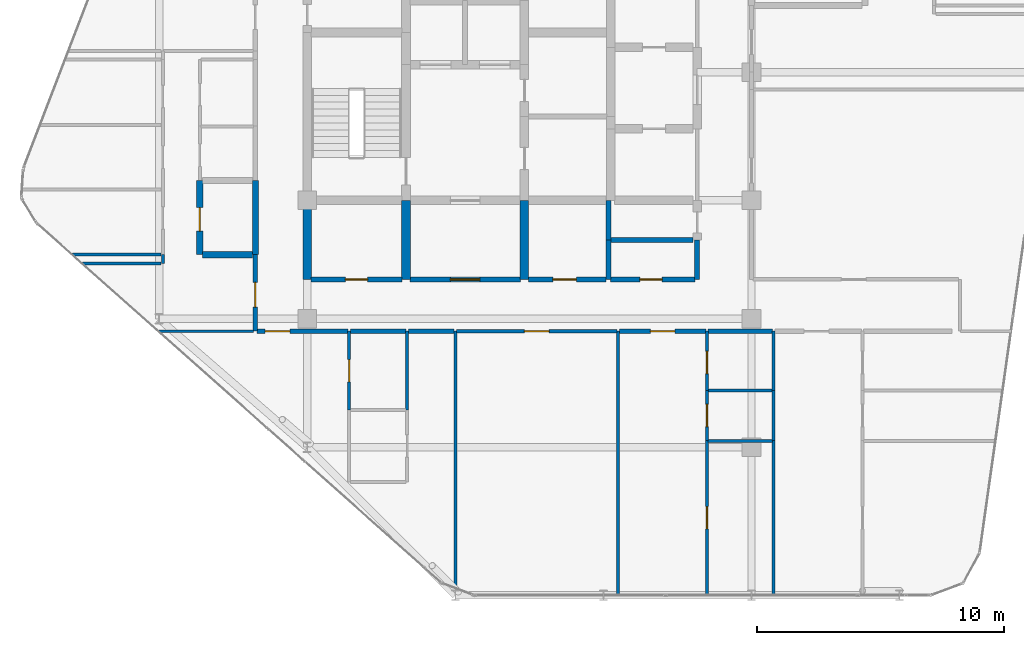
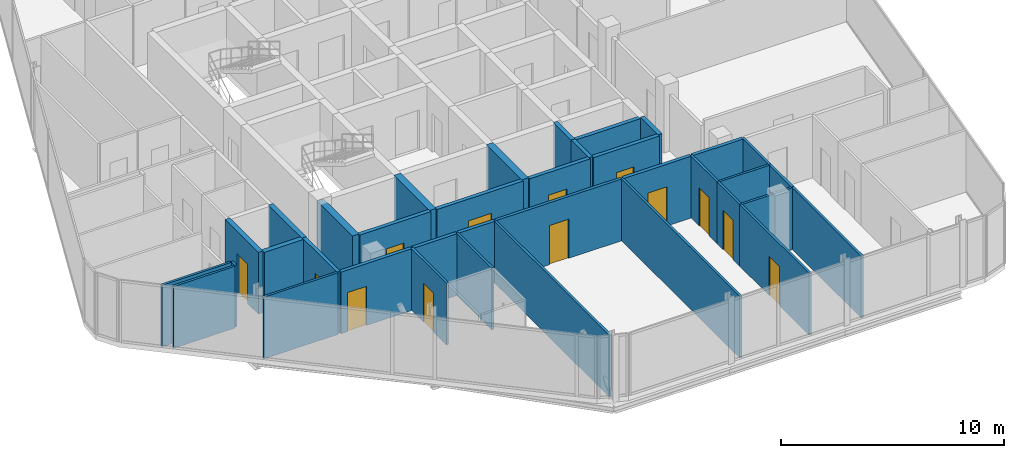
# One storey, part 25 of 31: 37 walls, 13 doors, 13 openings.
"""IFC4 building model written with IfcOpenShell, lengths in metres."""

from ifc_helpers import new_model, si_unit, direction, frame, frame_2d, origin, place, context, subcontext, project, spatial, rectangle, extrude, material, layer, layer_set, type_object, element, fill, save


model = new_model("IFC4")

# Units and contexts
model_context = context("Model", 3, precision=1e-05, world=origin(), true_north=direction((0.0, 1.0)))
body_context = subcontext(model_context, "Body", "Model", "MODEL_VIEW")
ifc_project = project(units=[si_unit("LENGTHUNIT", "METRE"), si_unit("AREAUNIT", "SQUARE_METRE"), si_unit("VOLUMEUNIT", "CUBIC_METRE"), si_unit("PLANEANGLEUNIT", "RADIAN"), si_unit("MASSUNIT", "GRAM", prefix="KILO")], contexts=[model_context])

# Site, building, storey
site_placement = place(None, origin())
site = spatial("IfcSite", under=ifc_project, at=site_placement, CompositionType="ELEMENT")
building_placement = place(site_placement, origin())
building = spatial("IfcBuilding", under=site, at=building_placement, Name="Keshet Zoharim Tower", CompositionType="ELEMENT")
storey_placement = place(building_placement, frame((0.0, 0.0, 276.89990234375)))
storey = spatial("IfcBuildingStorey", under=building, at=storey_placement, Name="L69", CompositionType="ELEMENT", Elevation=276.89990234375)

# Wall, opening, door
ifc_material_1 = material(Name="Gypsum Plasterboard", Category="gypsum")
ifc_layer_1 = layer(ifc_material_1, 0.14990234375)
ifc_layer_set_1 = layer_set([ifc_layer_1], Name="Gypsum Plasterboard")
wall_type_1 = type_object("IfcWallType", Name="WL-CLIN-150", PredefinedType="STANDARD", material=ifc_layer_set_1)
wall_1_placement = place(storey_placement, frame((21.044921875, 17.39990234375, 0.0), z_axis=(0.0, 0.0, 1.0), x_axis=(1.0, 0.0, 0.0)))
wall_1 = element("IfcWall", 1, at=wall_1_placement, inside=storey, type_object=wall_type_1, Name="L69 Interior Wall 106", PredefinedType="STANDARD", context=body_context, shape_type="SweptSolid", body=[
    extrude(rectangle(XDim=6.510009765625, YDim=0.14990234375, at=frame_2d((3.2548828125, 0.0))), origin(), (0.0, 0.0, 1.0), 3.39013671875),
])
opening_1_placement = place(wall_1_placement, frame((2.7548828125, 0.0, 0.0)))
opening_1 = element("IfcOpeningElement", 2, at=opening_1_placement, cuts=wall_1, Name="Opening D-F310", PredefinedType="OPENING", context=body_context, shape_type="SweptSolid", body=[
    extrude(rectangle(XDim=1.0, YDim=2.14990234375, at=frame_2d((0.5, 1.074951171875))), frame((0.0, 0.0849609375, 0.0), z_axis=(0.0, -1.0, 0.0), x_axis=(1.0, 0.0, 0.0)), (0.0, 0.0, 1.0), 0.169921875),
])
ifc_material_2 = material(Name="Hardwood Timber", Category="wood")
door_type_1 = type_object("IfcDoorType", Name="DR-FD30-100", OperationType="NOTDEFINED", PredefinedType="DOOR", material=ifc_material_2)
door_1_placement = place(opening_1_placement, origin())
door_1 = element("IfcDoor", 3, at=door_1_placement, inside=storey, type_object=door_type_1, Name="L69 Floor Children Playroom Door", OperationType="SINGLE_SWING_LEFT", OverallHeight=2.14990234375, OverallWidth=1.0, PredefinedType="DOOR", context=body_context, shape_type="SweptSolid", body=[
    extrude(rectangle(XDim=1.0, YDim=2.14990234375, at=frame_2d((0.5, 1.074951171875))), frame((0.0, 0.02490234375, 0.0), z_axis=(0.0, -1.0, 0.0), x_axis=(1.0, 0.0, 0.0)), (0.0, 0.0, 1.0), 0.050048828125),
])
fill(opening_1, door_1)

# Walls
ifc_material_3 = material(Name="Concrete C60/75", Category="concrete")
ifc_layer_2 = layer(ifc_material_3, 0.35009765625)
ifc_layer_set_2 = layer_set([ifc_layer_2], Name="Concrete C60/75")
wall_type_2 = type_object("IfcWallType", Name="WL-CORE-350", PredefinedType="SHEAR", material=ifc_layer_set_2)
for number, where, z_axis, x_axis, name in (
    (4, (15.0, 19.5, 0.0), (0.0, 0.0, 1.0), (0.0, 1.0, 0.0), "L69 Core Shear Wall 016"),
    (5, (19.0, 19.5, 0.0), (0.0, 0.0, 1.0), (0.0, 1.0, 0.0), "L69 Core Shear Wall 026"),
    (6, (23.800048828125, 19.5, 0.0), (0.0, 0.0, 1.0), (0.0, 1.0, 0.0), "L69 Core Shear Wall 040"),
):
    element("IfcWall", number, at=place(storey_placement, frame(where, z_axis=z_axis, x_axis=x_axis)), inside=storey, type_object=wall_type_2, Name=name, PredefinedType="SHEAR", context=body_context, shape_type="SweptSolid", body=[
        extrude(rectangle(XDim=3.199951171875, YDim=0.35009765625, at=frame_2d((1.60009765625, 0.0))), origin(), (0.0, 0.0, 1.0), 3.39013671875),
    ])

# Wall, opening, door
ifc_layer_3 = layer(ifc_material_1, 0.179931640625)
ifc_layer_set_3 = layer_set([ifc_layer_3], Name="Gypsum Plasterboard")
wall_type_3 = type_object("IfcWallType", Name="WL-CORR-180", PredefinedType="STANDARD", material=ifc_layer_set_3)
wall_2_placement = place(storey_placement, frame((12.89990234375, 17.39990234375, 0.0), z_axis=(0.0, 0.0, 1.0), x_axis=(0.0, 1.0, 0.0)))
wall_2 = element("IfcWall", 7, at=wall_2_placement, inside=storey, type_object=wall_type_3, Name="L69 Interior Wall 009", PredefinedType="STANDARD", context=body_context, shape_type="SweptSolid", body=[
    extrude(rectangle(XDim=3.10009765625, YDim=0.179931640625, at=frame_2d((1.550048828125, 0.0))), origin(), (0.0, 0.0, 1.0), 3.39013671875),
])
opening_2_placement = place(wall_2_placement, frame((0.97802734375, 0.0, 0.0)))
opening_2 = element("IfcOpeningElement", 8, at=opening_2_placement, cuts=wall_2, Name="Opening D-F310", PredefinedType="OPENING", context=body_context, shape_type="SweptSolid", body=[
    extrude(rectangle(XDim=1.0, YDim=2.14990234375, at=frame_2d((0.5, 1.074951171875))), frame((0.0, 0.10009765625, 0.0), z_axis=(0.0, -1.0, 0.0), x_axis=(1.0, 0.0, 0.0)), (0.0, 0.0, 1.0), 0.199951171875),
])
door_2_placement = place(opening_2_placement, origin())
door_2 = element("IfcDoor", 9, at=door_2_placement, inside=storey, type_object=door_type_1, Name="Apartment 6906 Entrance Door", OperationType="SINGLE_SWING_RIGHT", OverallHeight=2.14990234375, OverallWidth=1.0, PredefinedType="DOOR", context=body_context, shape_type="SweptSolid", body=[
    extrude(rectangle(XDim=1.0, YDim=2.14990234375, at=frame_2d((0.5, 1.074951171875))), frame((0.0, 0.02490234375, 0.0), z_axis=(0.0, -1.0, 0.0), x_axis=(1.0, 0.0, 0.0)), (0.0, 0.0, 1.0), 0.050048828125),
])
fill(opening_2, door_2)

wall_3_placement = place(storey_placement, frame((12.97509765625, 17.39990234375, 0.0), z_axis=(0.0, 0.0, 1.0), x_axis=(1.0, 0.0, 0.0)))
wall_3 = element("IfcWall", 10, at=wall_3_placement, inside=storey, type_object=wall_type_3, Name="L69 Interior Wall 103", PredefinedType="STANDARD", context=body_context, shape_type="SweptSolid", body=[
    extrude(rectangle(XDim=3.679931640625, YDim=0.179931640625, at=frame_2d((1.83984375, 0.0))), origin(), (0.0, 0.0, 1.0), 3.39013671875),
])
opening_3_placement = place(wall_3_placement, frame((0.322021484375, 0.0, 0.0)))
opening_3 = element("IfcOpeningElement", 11, at=opening_3_placement, cuts=wall_3, Name="Opening D-F310", PredefinedType="OPENING", context=body_context, shape_type="SweptSolid", body=[
    extrude(rectangle(XDim=1.0, YDim=2.14990234375, at=frame_2d((0.5, 1.074951171875))), frame((0.0, 0.10009765625, 0.0), z_axis=(0.0, -1.0, 0.0), x_axis=(1.0, 0.0, 0.0)), (0.0, 0.0, 1.0), 0.199951171875),
])
door_3_placement = place(opening_3_placement, origin())
door_3 = element("IfcDoor", 12, at=door_3_placement, inside=storey, type_object=door_type_1, Name="Apartment 6901 Entrance Door", OperationType="SINGLE_SWING_RIGHT", OverallHeight=2.14990234375, OverallWidth=1.0, PredefinedType="DOOR", context=body_context, shape_type="SweptSolid", body=[
    extrude(rectangle(XDim=1.0, YDim=2.14990234375, at=frame_2d((0.5, 1.074951171875))), frame((0.0, 0.02490234375, 0.0), z_axis=(0.0, -1.0, 0.0), x_axis=(1.0, 0.0, 0.0)), (0.0, 0.0, 1.0), 0.050048828125),
])
fill(opening_3, door_3)

# Walls
wall_4_placement = place(storey_placement, frame((16.7451171875, 17.39990234375, 0.0), z_axis=(0.0, 0.0, 1.0), x_axis=(1.0, 0.0, 0.0)))
element("IfcWall", 13, at=wall_4_placement, inside=storey, type_object=wall_type_3, Name="L69 Interior Wall 104", PredefinedType="STANDARD", context=body_context, shape_type="SweptSolid", body=[
    extrude(rectangle(XDim=2.259765625, YDim=0.179931640625, at=frame_2d((1.1298828125, 0.0))), origin(), (0.0, 0.0, 1.0), 3.39013671875),
])
wall_5_placement = place(storey_placement, frame((19.094970703125, 17.39990234375, 0.0), z_axis=(0.0, 0.0, 1.0), x_axis=(1.0, 0.0, 0.0)))
element("IfcWall", 14, at=wall_5_placement, inside=storey, type_object=wall_type_3, Name="L69 Interior Wall 105", PredefinedType="STANDARD", context=body_context, shape_type="SweptSolid", body=[
    extrude(rectangle(XDim=1.860107421875, YDim=0.179931640625, at=frame_2d((0.93017578125, 0.0))), origin(), (0.0, 0.0, 1.0), 3.39013671875),
])

# Wall, opening, door
wall_6_placement = place(storey_placement, frame((27.64501953125, 17.39990234375, 0.0), z_axis=(0.0, 0.0, 1.0), x_axis=(1.0, 0.0, 0.0)))
wall_6 = element("IfcWall", 15, at=wall_6_placement, inside=storey, type_object=wall_type_3, Name="L69 Interior Wall 107", PredefinedType="STANDARD", context=body_context, shape_type="SweptSolid", body=[
    extrude(rectangle(XDim=3.510009765625, YDim=0.179931640625, at=frame_2d((1.7548828125, 0.0))), origin(), (0.0, 0.0, 1.0), 3.39013671875),
])
opening_4_placement = place(wall_6_placement, frame((1.2548828125, 0.0, 0.0)))
opening_4 = element("IfcOpeningElement", 16, at=opening_4_placement, cuts=wall_6, Name="Opening D-F310", PredefinedType="OPENING", context=body_context, shape_type="SweptSolid", body=[
    extrude(rectangle(XDim=1.0, YDim=2.14990234375, at=frame_2d((0.5, 1.074951171875))), frame((0.0, 0.10009765625, 0.0), z_axis=(0.0, -1.0, 0.0), x_axis=(1.0, 0.0, 0.0)), (0.0, 0.0, 1.0), 0.199951171875),
])
door_4_placement = place(opening_4_placement, origin())
door_4 = element("IfcDoor", 17, at=door_4_placement, inside=storey, type_object=door_type_1, Name="Apartment 6902 Entrance Door", OperationType="SINGLE_SWING_RIGHT", OverallHeight=2.14990234375, OverallWidth=1.0, PredefinedType="DOOR", context=body_context, shape_type="SweptSolid", body=[
    extrude(rectangle(XDim=1.0, YDim=2.14990234375, at=frame_2d((0.5, 1.074951171875))), frame((0.0, 0.02490234375, 0.0), z_axis=(0.0, -1.0, 0.0), x_axis=(1.0, 0.0, 0.0)), (0.0, 0.0, 1.0), 0.050048828125),
])
fill(opening_4, door_4)

# Walls
wall_7_placement = place(storey_placement, frame((31.2451171875, 17.39990234375, 0.0), z_axis=(0.0, 0.0, 1.0), x_axis=(1.0, 0.0, 0.0)))
element("IfcWall", 18, at=wall_7_placement, inside=storey, type_object=wall_type_3, Name="L69 Interior Wall 108", PredefinedType="STANDARD", context=body_context, shape_type="SweptSolid", body=[
    extrude(rectangle(XDim=2.60986328125, YDim=0.179931640625, at=frame_2d((1.304931640625, 0.0))), origin(), (0.0, 0.0, 1.0), 3.39013671875),
])
ifc_material_4 = material(Name="Concrete C50/60", Category="concrete")
ifc_layer_4 = layer(ifc_material_4, 0.199951171875)
ifc_layer_set_4 = layer_set([ifc_layer_4], Name="Concrete C50/60")
wall_type_4 = type_object("IfcWallType", Name="WL-FIRE-200", PredefinedType="STANDARD", material=ifc_layer_set_4)
wall_8_placement = place(storey_placement, frame((27.199951171875, 19.5, 0.0), z_axis=(0.0, 0.0, 1.0), x_axis=(0.0, 1.0, 0.0)))
element("IfcWall", 19, at=wall_8_placement, inside=storey, type_object=wall_type_4, Name="L69 Interior Wall 052", PredefinedType="STANDARD", context=body_context, shape_type="SweptSolid", body=[
    extrude(rectangle(XDim=1.60009765625, YDim=0.199951171875, at=frame_2d((0.800048828125, 0.0))), origin(), (0.0, 0.0, 1.0), 3.39013671875),
])
wall_9_placement = place(storey_placement, frame((27.199951171875, 21.10009765625, 0.0), z_axis=(0.0, 0.0, 1.0), x_axis=(0.0, 1.0, 0.0)))
element("IfcWall", 20, at=wall_9_placement, inside=storey, type_object=wall_type_4, Name="L69 Interior Wall 053", PredefinedType="STANDARD", context=body_context, shape_type="SweptSolid", body=[
    extrude(rectangle(XDim=1.599853515625, YDim=0.199951171875, at=frame_2d((0.7998046875, 0.0))), origin(), (0.0, 0.0, 1.0), 3.39013671875),
])
wall_10_placement = place(storey_placement, frame((30.800048828125, 19.5, 0.0), z_axis=(0.0, 0.0, 1.0), x_axis=(0.0, 1.0, 0.0)))
element("IfcWall", 21, at=wall_10_placement, inside=storey, type_object=wall_type_4, Name="L69 Interior Wall 061", PredefinedType="STANDARD", context=body_context, shape_type="SweptSolid", body=[
    extrude(rectangle(XDim=1.60009765625, YDim=0.199951171875, at=frame_2d((0.800048828125, 0.0))), origin(), (0.0, 0.0, 1.0), 3.39013671875),
])

# Wall, opening, door
wall_11_placement = place(storey_placement, frame((15.159912109375, 19.5, 0.0), z_axis=(0.0, 0.0, 1.0), x_axis=(1.0, 0.0, 0.0)))
wall_11 = element("IfcWall", 22, at=wall_11_placement, inside=storey, type_object=wall_type_4, Name="L69 Interior Wall 112", PredefinedType="STANDARD", context=body_context, shape_type="SweptSolid", body=[
    extrude(rectangle(XDim=3.68017578125, YDim=0.199951171875, at=frame_2d((1.840087890625, 0.0))), origin(), (0.0, 0.0, 1.0), 3.39013671875),
])
opening_5_placement = place(wall_11_placement, frame((1.389892578125, 0.0, 0.0)))
opening_5 = element("IfcOpeningElement", 23, at=opening_5_placement, cuts=wall_11, Name="Opening D-F690", PredefinedType="OPENING", context=body_context, shape_type="SweptSolid", body=[
    extrude(rectangle(XDim=0.89990234375, YDim=2.14990234375, at=frame_2d((0.449951171875, 1.074951171875))), frame((0.0, 0.10986328125, 0.0), z_axis=(0.0, -1.0, 0.0), x_axis=(1.0, 0.0, 0.0)), (0.0, 0.0, 1.0), 0.219970703125),
])
door_type_2 = type_object("IfcDoorType", Name="DR-FD60-090", OperationType="NOTDEFINED", PredefinedType="DOOR", material=ifc_material_2)
door_5_placement = place(opening_5_placement, origin())
door_5 = element("IfcDoor", 24, at=door_5_placement, inside=storey, type_object=door_type_2, Name="L69 Refuse Store Door", OperationType="SINGLE_SWING_RIGHT", OverallHeight=2.14990234375, OverallWidth=0.89990234375, PredefinedType="DOOR", context=body_context, shape_type="SweptSolid", body=[
    extrude(rectangle(XDim=0.89990234375, YDim=2.14990234375, at=frame_2d((0.449951171875, 1.074951171875))), frame((0.0, 0.02490234375, 0.0), z_axis=(0.0, -1.0, 0.0), x_axis=(1.0, 0.0, 0.0)), (0.0, 0.0, 1.0), 0.050048828125),
])
fill(opening_5, door_5)

wall_12_placement = place(storey_placement, frame((19.159912109375, 19.5, 0.0), z_axis=(0.0, 0.0, 1.0), x_axis=(1.0, 0.0, 0.0)))
wall_12 = element("IfcWall", 25, at=wall_12_placement, inside=storey, type_object=wall_type_4, Name="L69 Interior Wall 113", PredefinedType="STANDARD", context=body_context, shape_type="SweptSolid", body=[
    extrude(rectangle(XDim=4.47998046875, YDim=0.199951171875, at=frame_2d((2.239990234375, 0.0))), origin(), (0.0, 0.0, 1.0), 3.39013671875),
])
opening_6_placement = place(wall_12_placement, frame((1.639892578125, 0.0, 0.0)))
opening_6 = element("IfcOpeningElement", 26, at=opening_6_placement, cuts=wall_12, Name="Opening D-F612", PredefinedType="OPENING", context=body_context, shape_type="SweptSolid", body=[
    extrude(rectangle(XDim=1.199951171875, YDim=2.199951171875, at=frame_2d((0.60009765625, 1.10009765625))), frame((0.0, 0.10986328125, 0.0), z_axis=(0.0, -1.0, 0.0), x_axis=(1.0, 0.0, 0.0)), (0.0, 0.0, 1.0), 0.219970703125),
])
door_type_3 = type_object("IfcDoorType", Name="DR-FD60-120", OperationType="NOTDEFINED", PredefinedType="DOOR", material=ifc_material_2)
door_6_placement = place(opening_6_placement, origin())
door_6 = element("IfcDoor", 27, at=door_6_placement, inside=storey, type_object=door_type_3, Name="L69 South Vestibule Corridor Door", OperationType="SINGLE_SWING_LEFT", OverallHeight=2.199951171875, OverallWidth=1.199951171875, PredefinedType="DOOR", context=body_context, shape_type="SweptSolid", body=[
    extrude(rectangle(XDim=1.199951171875, YDim=2.199951171875, at=frame_2d((0.60009765625, 1.10009765625))), frame((0.0, 0.02490234375, 0.0), z_axis=(0.0, -1.0, 0.0), x_axis=(1.0, 0.0, 0.0)), (0.0, 0.0, 1.0), 0.050048828125),
])
fill(opening_6, door_6)

wall_13_placement = place(storey_placement, frame((23.9599609375, 19.5, 0.0), z_axis=(0.0, 0.0, 1.0), x_axis=(1.0, 0.0, 0.0)))
wall_13 = element("IfcWall", 28, at=wall_13_placement, inside=storey, type_object=wall_type_4, Name="L69 Interior Wall 114", PredefinedType="STANDARD", context=body_context, shape_type="SweptSolid", body=[
    extrude(rectangle(XDim=3.155029296875, YDim=0.199951171875, at=frame_2d((1.57763671875, 0.0))), origin(), (0.0, 0.0, 1.0), 3.39013671875),
])
opening_7_placement = place(wall_13_placement, frame((0.990966796875, 0.0, 0.0)))
opening_7 = element("IfcOpeningElement", 29, at=opening_7_placement, cuts=wall_13, Name="Opening D-F695", PredefinedType="OPENING", context=body_context, shape_type="SweptSolid", body=[
    extrude(rectangle(XDim=0.949951171875, YDim=2.14990234375, at=frame_2d((0.47509765625, 1.074951171875))), frame((0.0, 0.10986328125, 0.0), z_axis=(0.0, -1.0, 0.0), x_axis=(1.0, 0.0, 0.0)), (0.0, 0.0, 1.0), 0.219970703125),
])
door_type_4 = type_object("IfcDoorType", Name="DR-FD60-095", OperationType="NOTDEFINED", PredefinedType="DOOR", material=ifc_material_2)
door_7_placement = place(opening_7_placement, origin())
door_7 = element("IfcDoor", 30, at=door_7_placement, inside=storey, type_object=door_type_4, Name="L69 Utility Room Door", OperationType="SINGLE_SWING_RIGHT", OverallHeight=2.14990234375, OverallWidth=0.949951171875, PredefinedType="DOOR", context=body_context, shape_type="SweptSolid", body=[
    extrude(rectangle(XDim=0.949951171875, YDim=2.14990234375, at=frame_2d((0.47509765625, 1.074951171875))), frame((0.0, 0.02490234375, 0.0), z_axis=(0.0, -1.0, 0.0), x_axis=(1.0, 0.0, 0.0)), (0.0, 0.0, 1.0), 0.050048828125),
])
fill(opening_7, door_7)

wall_14_placement = place(storey_placement, frame((27.284912109375, 19.5, 0.0), z_axis=(0.0, 0.0, 1.0), x_axis=(1.0, 0.0, 0.0)))
wall_14 = element("IfcWall", 31, at=wall_14_placement, inside=storey, type_object=wall_type_4, Name="L69 Interior Wall 115", PredefinedType="STANDARD", context=body_context, shape_type="SweptSolid", body=[
    extrude(rectangle(XDim=3.43017578125, YDim=0.199951171875, at=frame_2d((1.715087890625, 0.0))), origin(), (0.0, 0.0, 1.0), 3.39013671875),
])
opening_8_placement = place(wall_14_placement, frame((1.19189453125, 0.0, 0.0)))
opening_8 = element("IfcOpeningElement", 32, at=opening_8_placement, cuts=wall_14, Name="Opening D-F690", PredefinedType="OPENING", context=body_context, shape_type="SweptSolid", body=[
    extrude(rectangle(XDim=0.89990234375, YDim=2.14990234375, at=frame_2d((0.449951171875, 1.074951171875))), frame((0.0, 0.10986328125, 0.0), z_axis=(0.0, -1.0, 0.0), x_axis=(1.0, 0.0, 0.0)), (0.0, 0.0, 1.0), 0.219970703125),
])
door_8_placement = place(opening_8_placement, origin())
door_8 = element("IfcDoor", 33, at=door_8_placement, inside=storey, type_object=door_type_2, Name="L69 Valve Room Door", OperationType="SINGLE_SWING_LEFT", OverallHeight=2.14990234375, OverallWidth=0.89990234375, PredefinedType="DOOR", context=body_context, shape_type="SweptSolid", body=[
    extrude(rectangle(XDim=0.89990234375, YDim=2.14990234375, at=frame_2d((0.449951171875, 1.074951171875))), frame((0.0, 0.02490234375, 0.0), z_axis=(0.0, -1.0, 0.0), x_axis=(1.0, 0.0, 0.0)), (0.0, 0.0, 1.0), 0.050048828125),
])
fill(opening_8, door_8)

# Wall
wall_15_placement = place(storey_placement, frame((27.284912109375, 21.10009765625, 0.0), z_axis=(0.0, 0.0, 1.0), x_axis=(1.0, 0.0, 0.0)))
element("IfcWall", 34, at=wall_15_placement, inside=storey, type_object=wall_type_4, Name="L69 Interior Wall 120", PredefinedType="STANDARD", context=body_context, shape_type="SweptSolid", body=[
    extrude(rectangle(XDim=3.35498046875, YDim=0.199951171875, at=frame_2d((1.677490234375, 0.0))), origin(), (0.0, 0.0, 1.0), 3.39013671875),
])

# Wall, opening, door
ifc_layer_5 = layer(ifc_material_4, 0.25)
ifc_layer_set_5 = layer_set([ifc_layer_5], Name="Concrete C50/60")
wall_type_5 = type_object("IfcWallType", Name="WL-MAMAD-250", PredefinedType="STANDARD", material=ifc_layer_set_5)
wall_16_placement = place(storey_placement, frame((10.64990234375, 20.5, 0.0), z_axis=(0.0, 0.0, 1.0), x_axis=(0.0, 1.0, 0.0)))
wall_16 = element("IfcWall", 35, at=wall_16_placement, inside=storey, type_object=wall_type_5, Name="L69 Interior Wall 006", PredefinedType="STANDARD", context=body_context, shape_type="SweptSolid", body=[
    extrude(rectangle(XDim=3.001953125, YDim=0.25, at=frame_2d((1.5009765625, 0.0))), origin(), (0.0, 0.0, 1.0), 3.39013671875),
])
opening_9_placement = place(wall_16_placement, frame((0.9560546875, 0.0, 0.0)))
opening_9 = element("IfcOpeningElement", 36, at=opening_9_placement, cuts=wall_16, Name="Opening D-F695", PredefinedType="OPENING", context=body_context, shape_type="SweptSolid", body=[
    extrude(rectangle(XDim=0.949951171875, YDim=2.14990234375, at=frame_2d((0.47509765625, 1.074951171875))), frame((0.0, 0.135009765625, 0.0), z_axis=(0.0, -1.0, 0.0), x_axis=(1.0, 0.0, 0.0)), (0.0, 0.0, 1.0), 0.27001953125),
])
door_9_placement = place(opening_9_placement, origin())
door_9 = element("IfcDoor", 37, at=door_9_placement, inside=storey, type_object=door_type_4, Name="Apartment 6906 Study and Shelter Room Door", OperationType="SINGLE_SWING_LEFT", OverallHeight=2.14990234375, OverallWidth=0.949951171875, PredefinedType="DOOR", context=body_context, shape_type="SweptSolid", body=[
    extrude(rectangle(XDim=0.949951171875, YDim=2.14990234375, at=frame_2d((0.47509765625, 1.074951171875))), frame((0.0, 0.02490234375, 0.0), z_axis=(0.0, -1.0, 0.0), x_axis=(1.0, 0.0, 0.0)), (0.0, 0.0, 1.0), 0.050048828125),
])
fill(opening_9, door_9)

# Walls
wall_17_placement = place(storey_placement, frame((12.89990234375, 20.5, 0.0), z_axis=(0.0, 0.0, 1.0), x_axis=(0.0, 1.0, 0.0)))
element("IfcWall", 38, at=wall_17_placement, inside=storey, type_object=wall_type_5, Name="L69 Interior Wall 010", PredefinedType="STANDARD", context=body_context, shape_type="SweptSolid", body=[
    extrude(rectangle(XDim=3.001953125, YDim=0.25, at=frame_2d((1.5009765625, 0.0))), origin(), (0.0, 0.0, 1.0), 3.39013671875),
])
wall_18_placement = place(storey_placement, frame((10.760009765625, 20.5, 0.0), z_axis=(0.0, 0.0, 1.0), x_axis=(1.0, 0.0, 0.0)))
element("IfcWall", 39, at=wall_18_placement, inside=storey, type_object=wall_type_5, Name="L69 Interior Wall 119", PredefinedType="STANDARD", context=body_context, shape_type="SweptSolid", body=[
    extrude(rectangle(XDim=2.030029296875, YDim=0.25, at=frame_2d((1.01513671875, 0.0))), origin(), (0.0, 0.0, 1.0), 3.39013671875),
])
ifc_layer_6 = layer(ifc_material_1, 0.1201171875)
ifc_layer_set_6 = layer_set([ifc_layer_6], Name="Gypsum Plasterboard")
wall_type_6 = type_object("IfcWallType", Name="WL-PART-120", PredefinedType="PARTITIONING", material=ifc_layer_set_6)
wall_19_placement = place(storey_placement, frame((9.14990234375, 20.14990234375, 0.0), z_axis=(0.0, 0.0, 1.0), x_axis=(0.0, 1.0, 0.0)))
element("IfcWall", 40, at=wall_19_placement, inside=storey, type_object=wall_type_6, Name="L69 Interior Wall 002", PredefinedType="PARTITIONING", context=body_context, shape_type="SweptSolid", body=[
    extrude(rectangle(XDim=0.35009765625, YDim=0.1201171875, at=frame_2d((0.175048828125, 0.0))), origin(), (0.0, 0.0, 1.0), 3.39013671875),
])

# Wall, opening, door
wall_20_placement = place(storey_placement, frame((16.699951171875, 14.199951171875, 0.0), z_axis=(0.0, 0.0, 1.0), x_axis=(0.0, 1.0, 0.0)))
wall_20 = element("IfcWall", 41, at=wall_20_placement, inside=storey, type_object=wall_type_6, Name="L69 Interior Wall 023", PredefinedType="PARTITIONING", context=body_context, shape_type="SweptSolid", body=[
    extrude(rectangle(XDim=3.199951171875, YDim=0.1201171875, at=frame_2d((1.60009765625, 0.0))), origin(), (0.0, 0.0, 1.0), 3.39013671875),
])
opening_10_placement = place(wall_20_placement, frame((1.14990234375, 0.0, 0.0)))
opening_10 = element("IfcOpeningElement", 42, at=opening_10_placement, cuts=wall_20, Name="Opening D-IN90", PredefinedType="OPENING", context=body_context, shape_type="SweptSolid", body=[
    extrude(rectangle(XDim=0.89990234375, YDim=2.14990234375, at=frame_2d((0.449951171875, 1.074951171875))), frame((0.0, 0.070068359375, 0.0), z_axis=(0.0, -1.0, 0.0), x_axis=(1.0, 0.0, 0.0)), (0.0, 0.0, 1.0), 0.14013671875),
])
door_type_5 = type_object("IfcDoorType", Name="DR-INT-090", OperationType="NOTDEFINED", PredefinedType="DOOR", material=ifc_material_2)
door_10_placement = place(opening_10_placement, origin())
door_10 = element("IfcDoor", 43, at=door_10_placement, inside=storey, type_object=door_type_5, Name="Apartment 6901 Kitchenette Door", OperationType="SINGLE_SWING_RIGHT", OverallHeight=2.14990234375, OverallWidth=0.89990234375, PredefinedType="DOOR", context=body_context, shape_type="SweptSolid", body=[
    extrude(rectangle(XDim=0.89990234375, YDim=2.14990234375, at=frame_2d((0.449951171875, 1.074951171875))), frame((0.0, 0.02490234375, 0.0), z_axis=(0.0, -1.0, 0.0), x_axis=(1.0, 0.0, 0.0)), (0.0, 0.0, 1.0), 0.050048828125),
])
fill(opening_10, door_10)

# Walls
wall_21_placement = place(storey_placement, frame((19.050048828125, 14.199951171875, 0.0), z_axis=(0.0, 0.0, 1.0), x_axis=(0.0, 1.0, 0.0)))
element("IfcWall", 44, at=wall_21_placement, inside=storey, type_object=wall_type_6, Name="L69 Interior Wall 032", PredefinedType="PARTITIONING", context=body_context, shape_type="SweptSolid", body=[
    extrude(rectangle(XDim=3.199951171875, YDim=0.1201171875, at=frame_2d((1.60009765625, 0.0))), origin(), (0.0, 0.0, 1.0), 3.39013671875),
])
wall_22_placement = place(storey_placement, frame((21.0, 6.9990234375, 0.0), z_axis=(0.0, 0.0, 1.0), x_axis=(0.0, 1.0, 0.0)))
element("IfcWall", 45, at=wall_22_placement, inside=storey, type_object=wall_type_6, Name="L69 Interior Wall 035", PredefinedType="PARTITIONING", context=body_context, shape_type="SweptSolid", body=[
    extrude(rectangle(XDim=10.40087890625, YDim=0.1201171875, at=frame_2d((5.200439453125, 0.0))), origin(), (0.0, 0.0, 1.0), 3.39013671875),
])
wall_23_placement = place(storey_placement, frame((27.60009765625, 6.7099609375, 0.0), z_axis=(0.0, 0.0, 1.0), x_axis=(0.0, 1.0, 0.0)))
element("IfcWall", 46, at=wall_23_placement, inside=storey, type_object=wall_type_6, Name="L69 Interior Wall 058", PredefinedType="PARTITIONING", context=body_context, shape_type="SweptSolid", body=[
    extrude(rectangle(XDim=10.68994140625, YDim=0.1201171875, at=frame_2d((5.344970703125, 0.0))), origin(), (0.0, 0.0, 1.0), 3.39013671875),
])

# Wall, opening, door
wall_24_placement = place(storey_placement, frame((31.199951171875, 6.7099609375, 0.0), z_axis=(0.0, 0.0, 1.0), x_axis=(0.0, 1.0, 0.0)))
wall_24 = element("IfcWall", 47, at=wall_24_placement, inside=storey, type_object=wall_type_6, Name="L69 Interior Wall 069", PredefinedType="PARTITIONING", context=body_context, shape_type="SweptSolid", body=[
    extrude(rectangle(XDim=6.260009765625, YDim=0.1201171875, at=frame_2d((3.1298828125, 0.0))), origin(), (0.0, 0.0, 1.0), 3.39013671875),
])
opening_11_placement = place(wall_24_placement, frame((2.679931640625, 0.0, 0.0)))
opening_11 = element("IfcOpeningElement", 48, at=opening_11_placement, cuts=wall_24, Name="Opening D-IN90", PredefinedType="OPENING", context=body_context, shape_type="SweptSolid", body=[
    extrude(rectangle(XDim=0.89990234375, YDim=2.14990234375, at=frame_2d((0.449951171875, 1.074951171875))), frame((0.0, 0.070068359375, 0.0), z_axis=(0.0, -1.0, 0.0), x_axis=(1.0, 0.0, 0.0)), (0.0, 0.0, 1.0), 0.14013671875),
])
door_11_placement = place(opening_11_placement, origin())
door_11 = element("IfcDoor", 49, at=door_11_placement, inside=storey, type_object=door_type_5, Name="Apartment 6902 Bedroom 1 Door", OperationType="SINGLE_SWING_LEFT", OverallHeight=2.14990234375, OverallWidth=0.89990234375, PredefinedType="DOOR", context=body_context, shape_type="SweptSolid", body=[
    extrude(rectangle(XDim=0.89990234375, YDim=2.14990234375, at=frame_2d((0.449951171875, 1.074951171875))), frame((0.0, 0.02490234375, 0.0), z_axis=(0.0, -1.0, 0.0), x_axis=(1.0, 0.0, 0.0)), (0.0, 0.0, 1.0), 0.050048828125),
])
fill(opening_11, door_11)

wall_25_placement = place(storey_placement, frame((31.199951171875, 12.969970703125, 0.0), z_axis=(0.0, 0.0, 1.0), x_axis=(0.0, 1.0, 0.0)))
wall_25 = element("IfcWall", 50, at=wall_25_placement, inside=storey, type_object=wall_type_6, Name="L69 Interior Wall 070", PredefinedType="PARTITIONING", context=body_context, shape_type="SweptSolid", body=[
    extrude(rectangle(XDim=2.0380859375, YDim=0.1201171875, at=frame_2d((1.01904296875, 0.0))), origin(), (0.0, 0.0, 1.0), 3.39013671875),
])
opening_12_placement = place(wall_25_placement, frame((0.569091796875, 0.0, 0.0)))
opening_12 = element("IfcOpeningElement", 51, at=opening_12_placement, cuts=wall_25, Name="Opening D-IN90", PredefinedType="OPENING", context=body_context, shape_type="SweptSolid", body=[
    extrude(rectangle(XDim=0.89990234375, YDim=2.14990234375, at=frame_2d((0.449951171875, 1.074951171875))), frame((0.0, 0.070068359375, 0.0), z_axis=(0.0, -1.0, 0.0), x_axis=(1.0, 0.0, 0.0)), (0.0, 0.0, 1.0), 0.14013671875),
])
door_12_placement = place(opening_12_placement, origin())
door_12 = element("IfcDoor", 52, at=door_12_placement, inside=storey, type_object=door_type_5, Name="Apartment 6902 Kitchen Door", OperationType="SINGLE_SWING_RIGHT", OverallHeight=2.14990234375, OverallWidth=0.89990234375, PredefinedType="DOOR", context=body_context, shape_type="SweptSolid", body=[
    extrude(rectangle(XDim=0.89990234375, YDim=2.14990234375, at=frame_2d((0.449951171875, 1.074951171875))), frame((0.0, 0.02490234375, 0.0), z_axis=(0.0, -1.0, 0.0), x_axis=(1.0, 0.0, 0.0)), (0.0, 0.0, 1.0), 0.050048828125),
])
fill(opening_12, door_12)

# Walls
wall_26_placement = place(storey_placement, frame((33.89990234375, 6.7099609375, 0.0), z_axis=(0.0, 0.0, 1.0), x_axis=(0.0, 1.0, 0.0)))
element("IfcWall", 53, at=wall_26_placement, inside=storey, type_object=wall_type_6, Name="L69 Interior Wall 079", PredefinedType="PARTITIONING", context=body_context, shape_type="SweptSolid", body=[
    extrude(rectangle(XDim=6.260009765625, YDim=0.1201171875, at=frame_2d((3.1298828125, 0.0))), origin(), (0.0, 0.0, 1.0), 3.39013671875),
])
wall_27_placement = place(storey_placement, frame((33.89990234375, 12.969970703125, 0.0), z_axis=(0.0, 0.0, 1.0), x_axis=(0.0, 1.0, 0.0)))
element("IfcWall", 54, at=wall_27_placement, inside=storey, type_object=wall_type_6, Name="L69 Interior Wall 080", PredefinedType="PARTITIONING", context=body_context, shape_type="SweptSolid", body=[
    extrude(rectangle(XDim=2.0380859375, YDim=0.1201171875, at=frame_2d((1.01904296875, 0.0))), origin(), (0.0, 0.0, 1.0), 3.39013671875),
])
wall_28_placement = place(storey_placement, frame((31.2451171875, 12.949951171875, 0.0), z_axis=(0.0, 0.0, 1.0), x_axis=(1.0, 0.0, 0.0)))
element("IfcWall", 55, at=wall_28_placement, inside=storey, type_object=wall_type_6, Name="L69 Interior Wall 097", PredefinedType="PARTITIONING", context=body_context, shape_type="SweptSolid", body=[
    extrude(rectangle(XDim=2.60986328125, YDim=0.1201171875, at=frame_2d((1.304931640625, 0.0))), origin(), (0.0, 0.0, 1.0), 3.39013671875),
])
wall_29_placement = place(storey_placement, frame((8.972900390625, 17.39990234375, 0.0), z_axis=(0.0, 0.0, 1.0), x_axis=(1.0, 0.0, 0.0)))
element("IfcWall", 56, at=wall_29_placement, inside=storey, type_object=wall_type_6, Name="L69 Interior Wall 102", PredefinedType="PARTITIONING", context=body_context, shape_type="SweptSolid", body=[
    extrude(rectangle(XDim=3.85205078125, YDim=0.1201171875, at=frame_2d((1.926025390625, 0.0))), origin(), (0.0, 0.0, 1.0), 3.39013671875),
])
wall_30_placement = place(storey_placement, frame((5.87890625, 20.14990234375, 0.0), z_axis=(0.0, 0.0, 1.0), x_axis=(1.0, 0.0, 0.0)))
element("IfcWall", 57, at=wall_30_placement, inside=storey, type_object=wall_type_6, Name="L69 Interior Wall 117", PredefinedType="PARTITIONING", context=body_context, shape_type="SweptSolid", body=[
    extrude(rectangle(XDim=3.2060546875, YDim=0.1201171875, at=frame_2d((1.60302734375, 0.0))), origin(), (0.0, 0.0, 1.0), 3.39013671875),
])
wall_31_placement = place(storey_placement, frame((5.485107421875, 20.5, 0.0), z_axis=(0.0, 0.0, 1.0), x_axis=(1.0, 0.0, 0.0)))
element("IfcWall", 58, at=wall_31_placement, inside=storey, type_object=wall_type_6, Name="L69 Interior Wall 118", PredefinedType="PARTITIONING", context=body_context, shape_type="SweptSolid", body=[
    extrude(rectangle(XDim=3.599853515625, YDim=0.1201171875, at=frame_2d((1.7998046875, 0.0))), origin(), (0.0, 0.0, 1.0), 3.39013671875),
])

# Wall, opening, door
ifc_layer_7 = layer(ifc_material_1, 0.1201171875)
ifc_layer_set_7 = layer_set([ifc_layer_7], Name="Gypsum Plasterboard")
wall_type_7 = type_object("IfcWallType", Name="WL-WET-120", PredefinedType="PARTITIONING", material=ifc_layer_set_7)
wall_32_placement = place(storey_placement, frame((31.199951171875, 15.008056640625, 0.0), z_axis=(0.0, 0.0, 1.0), x_axis=(0.0, 1.0, 0.0)))
wall_32 = element("IfcWall", 59, at=wall_32_placement, inside=storey, type_object=wall_type_7, Name="L69 Interior Wall 071", PredefinedType="PARTITIONING", context=body_context, shape_type="SweptSolid", body=[
    extrude(rectangle(XDim=2.391845703125, YDim=0.1201171875, at=frame_2d((1.19580078125, 0.0))), origin(), (0.0, 0.0, 1.0), 3.39013671875),
])
opening_13_placement = place(wall_32_placement, frame((0.675048828125, 0.0, 0.0)))
opening_13 = element("IfcOpeningElement", 60, at=opening_13_placement, cuts=wall_32, Name="Opening D-WT90", PredefinedType="OPENING", context=body_context, shape_type="SweptSolid", body=[
    extrude(rectangle(XDim=0.89990234375, YDim=2.10009765625, at=frame_2d((0.449951171875, 1.050048828125))), frame((0.0, 0.070068359375, 0.0), z_axis=(0.0, -1.0, 0.0), x_axis=(1.0, 0.0, 0.0)), (0.0, 0.0, 1.0), 0.14013671875),
])
door_type_6 = type_object("IfcDoorType", Name="DR-WET-090", OperationType="NOTDEFINED", PredefinedType="DOOR", material=ifc_material_2)
door_13_placement = place(opening_13_placement, origin())
door_13 = element("IfcDoor", 61, at=door_13_placement, inside=storey, type_object=door_type_6, Name="Apartment 6902 Bathroom Door", OperationType="SINGLE_SWING_LEFT", OverallHeight=2.10009765625, OverallWidth=0.89990234375, PredefinedType="DOOR", context=body_context, shape_type="SweptSolid", body=[
    extrude(rectangle(XDim=0.89990234375, YDim=2.10009765625, at=frame_2d((0.449951171875, 1.050048828125))), frame((0.0, 0.02490234375, 0.0), z_axis=(0.0, -1.0, 0.0), x_axis=(1.0, 0.0, 0.0)), (0.0, 0.0, 1.0), 0.050048828125),
])
fill(opening_13, door_13)

# Walls
wall_33_placement = place(storey_placement, frame((33.89990234375, 15.008056640625, 0.0), z_axis=(0.0, 0.0, 1.0), x_axis=(0.0, 1.0, 0.0)))
element("IfcWall", 62, at=wall_33_placement, inside=storey, type_object=wall_type_7, Name="L69 Interior Wall 081", PredefinedType="PARTITIONING", context=body_context, shape_type="SweptSolid", body=[
    extrude(rectangle(XDim=2.391845703125, YDim=0.1201171875, at=frame_2d((1.19580078125, 0.0))), origin(), (0.0, 0.0, 1.0), 3.39013671875),
])
wall_34_placement = place(storey_placement, frame((31.2451171875, 15.0, 0.0), z_axis=(0.0, 0.0, 1.0), x_axis=(1.0, 0.0, 0.0)))
element("IfcWall", 63, at=wall_34_placement, inside=storey, type_object=wall_type_7, Name="L69 Interior Wall 100", PredefinedType="PARTITIONING", context=body_context, shape_type="SweptSolid", body=[
    extrude(rectangle(XDim=2.60986328125, YDim=0.1201171875, at=frame_2d((1.304931640625, 0.0))), origin(), (0.0, 0.0, 1.0), 3.39013671875),
])

save(model, "model.ifc")
